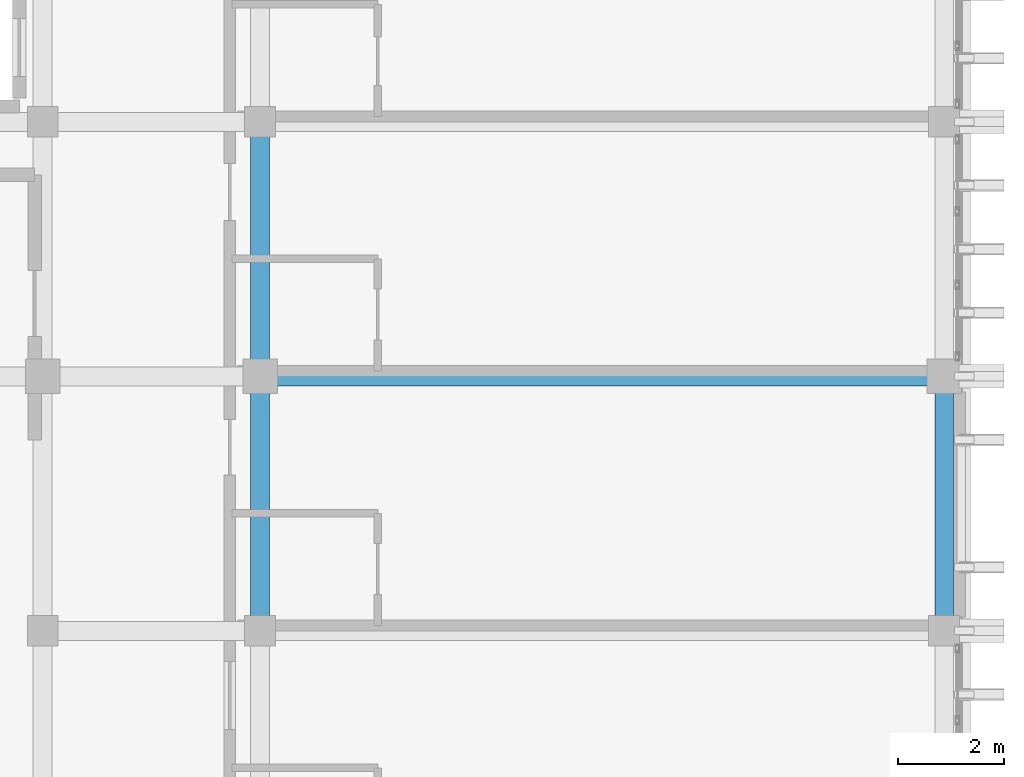
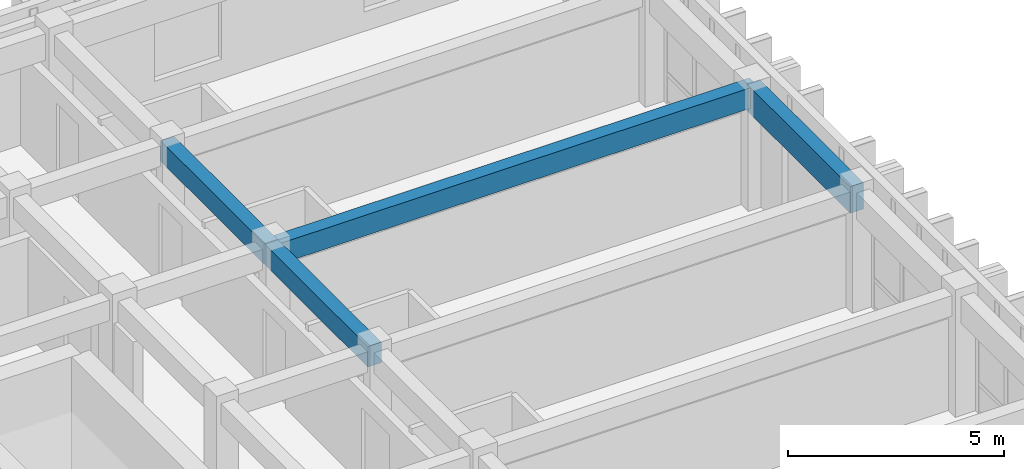
# One storey, part 33 of 49: 4 beams.
"""IFC4 building model written with IfcOpenShell, lengths in metres."""

from ifc_helpers import new_model, si_unit, direction, frame, origin, origin_2d, place, context, subcontext, project, spatial, rectangle, extrude, material, material_profile, profile_set, type_object, element, save


model = new_model("IFC4")

# Units and contexts
model_context = context("Model", 3, precision=1e-05, world=origin(), true_north=direction((0.0, 1.0)))
body_context = subcontext(model_context, "Body", "Model", "MODEL_VIEW")
ifc_project = project(units=[si_unit("LENGTHUNIT", "METRE"), si_unit("AREAUNIT", "SQUARE_METRE"), si_unit("VOLUMEUNIT", "CUBIC_METRE"), si_unit("PLANEANGLEUNIT", "RADIAN"), si_unit("MASSUNIT", "GRAM", prefix="KILO")], contexts=[model_context])

# Site, building, storey
site_placement = place(None, origin())
site = spatial("IfcSite", under=ifc_project, at=site_placement, CompositionType="ELEMENT")
building_placement = place(site_placement, origin())
building = spatial("IfcBuilding", under=site, at=building_placement, Name="Nakhvara Creek Congress Hotel", CompositionType="ELEMENT")
storey_placement = place(building_placement, frame((0.0, 0.0, 39.0)))
storey = spatial("IfcBuildingStorey", under=building, at=storey_placement, Name="L09", CompositionType="ELEMENT", Elevation=39.0)

# Beams
ifc_material = material(Name="Concrete C40/50", Category="concrete")
ifc_material_profile_1 = material_profile(ifc_material, rectangle(XDim=0.360107421875, YDim=0.580078125, at=origin_2d()), Name="RC-BM 360x580", Category="LoadBearing")
ifc_profile_set_1 = profile_set([ifc_material_profile_1], Name="Concrete C40/50")
beam_type_1 = type_object("IfcBeamType", Name="BM-RC-360X580", PredefinedType="BEAM", material=ifc_profile_set_1)
beam_1_placement = place(storey_placement, frame((166.449951171875, 115.199951171875, 3.070068359375), z_axis=(1.0, 0.0, 0.0), x_axis=(0.0, 1.0, 0.0)))
element("IfcBeam", 1, at=beam_1_placement, inside=storey, type_object=beam_type_1, Name="Beam B09-L09-2592", PredefinedType="BEAM", context=body_context, shape_type="SweptSolid", body=[
    extrude(rectangle(XDim=0.360107421875, YDim=0.580078125, at=origin_2d()), origin(), (0.0, 0.0, 1.0), 12.900146484375),
])
for number, where, z_axis, x_axis, name in (
    (2, (166.449951171875, 110.39990234375, 3.070068359375), (0.0, 1.0, 0.0), (-1.0, 0.0, 0.0), "Beam B09-L09-2593"),
    (3, (166.449951171875, 115.199951171875, 3.070068359375), (0.0, 1.0, 0.0), (-1.0, 0.0, 0.0), "Beam B09-L09-2594"),
):
    element("IfcBeam", number, at=place(storey_placement, frame(where, z_axis=z_axis, x_axis=x_axis)), inside=storey, type_object=beam_type_1, Name=name, PredefinedType="BEAM", context=body_context, shape_type="SweptSolid", body=[
        extrude(rectangle(XDim=0.360107421875, YDim=0.580078125, at=origin_2d()), origin(), (0.0, 0.0, 1.0), 4.800048828125),
    ])
ifc_material_profile_2 = material_profile(ifc_material, rectangle(XDim=0.35009765625, YDim=0.75, at=origin_2d()), Name="RC-SPANDREL 350x750", Category="LoadBearing")
ifc_profile_set_2 = profile_set([ifc_material_profile_2], Name="Concrete C40/50")
beam_type_2 = type_object("IfcBeamType", Name="BM-SPN-350X750", PredefinedType="SPANDREL", material=ifc_profile_set_2)
beam_2_placement = place(storey_placement, frame((179.35009765625, 110.39990234375, 2.985107421875), z_axis=(0.0, 1.0, 0.0), x_axis=(-1.0, 0.0, 0.0)))
element("IfcBeam", 4, at=beam_2_placement, inside=storey, type_object=beam_type_2, Name="Beam SP1-L09-2608", PredefinedType="SPANDREL", context=body_context, shape_type="SweptSolid", body=[
    extrude(rectangle(XDim=0.35009765625, YDim=0.75, at=origin_2d()), origin(), (0.0, 0.0, 1.0), 4.800048828125),
])

save(model, "model.ifc")
